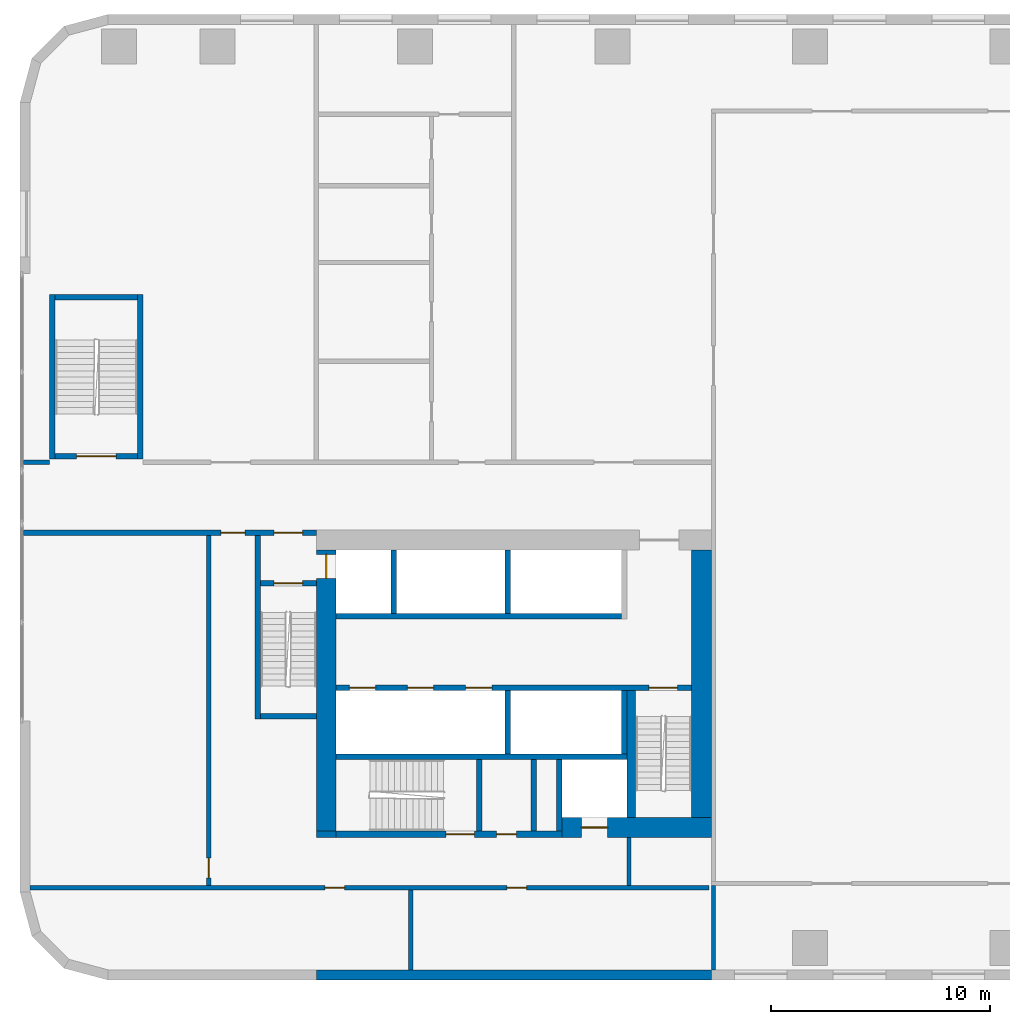
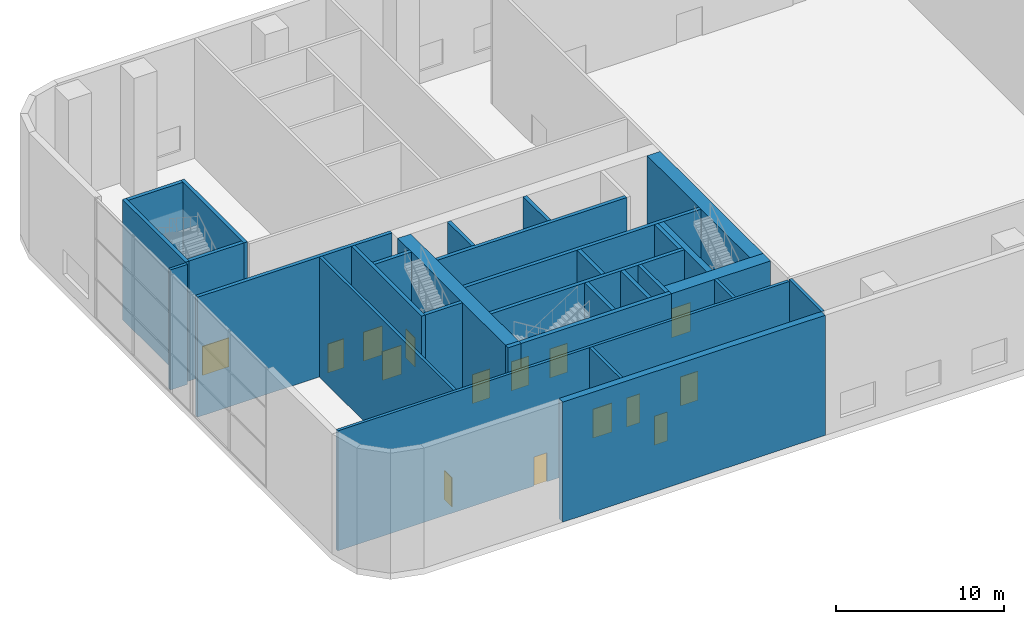
# One storey, part 6 of 24: 31 walls, 15 doors, 15 openings.
"""IFC4 building model written with IfcOpenShell, lengths in metres."""

from ifc_helpers import new_model, si_unit, direction, frame, frame_2d, origin, place, context, subcontext, project, spatial, rectangle, extrude, material, layer, layer_set, type_object, element, fill, save


model = new_model("IFC4")

# Units and contexts
model_context = context("Model", 3, precision=1e-05, world=origin(), true_north=direction((0.0, 1.0)))
body_context = subcontext(model_context, "Body", "Model", "MODEL_VIEW")
ifc_project = project(units=[si_unit("LENGTHUNIT", "METRE"), si_unit("AREAUNIT", "SQUARE_METRE"), si_unit("VOLUMEUNIT", "CUBIC_METRE"), si_unit("PLANEANGLEUNIT", "RADIAN"), si_unit("MASSUNIT", "GRAM", prefix="KILO")], contexts=[model_context])

# Site, building, storey
site_placement = place(None, origin())
site = spatial("IfcSite", under=ifc_project, at=site_placement, CompositionType="ELEMENT")
building_placement = place(site_placement, origin())
building = spatial("IfcBuilding", under=site, at=building_placement, Name="Kajstack Hotel Tower", CompositionType="ELEMENT")
storey_placement = place(building_placement, frame((0.0, 0.0, 38.0)))
storey = spatial("IfcBuildingStorey", under=building, at=storey_placement, Name="L06", CompositionType="ELEMENT", Elevation=38.0)

# Wall, opening, door
ifc_material_1 = material(Name="Concrete C60/75", Category="concrete")
ifc_layer_1 = layer(ifc_material_1, 0.89990234375)
ifc_layer_set_1 = layer_set([ifc_layer_1], Name="Core wall 900")
wall_type_1 = type_object("IfcWallType", Name="Core wall 900", PredefinedType="SHEAR", material=ifc_layer_set_1)
wall_1_placement = place(storey_placement, frame((-20.300048828125, -15.050048828125, 0.0), z_axis=(0.0, 0.0, 1.0), x_axis=(1.0, 0.0, 0.0)))
wall_1 = element("IfcWall", 1, at=wall_1_placement, inside=storey, type_object=wall_type_1, Name="Core wall W RS", PredefinedType="SHEAR", context=body_context, shape_type="SweptSolid", body=[
    extrude(rectangle(XDim=6.800048828125, YDim=0.89990234375, at=frame_2d((3.39990234375, 0.0))), origin(), (0.0, 0.0, 1.0), 8.699951171875),
])
opening_1_placement = place(wall_1_placement, frame((0.875, 0.0, 0.0)))
opening_1 = element("IfcOpeningElement", 2, at=opening_1_placement, cuts=wall_1, Name="Opening LD-SV1", PredefinedType="OPENING", context=body_context, shape_type="SweptSolid", body=[
    extrude(rectangle(XDim=1.199951171875, YDim=2.10009765625, at=frame_2d((0.60009765625, 1.050048828125))), frame((0.0, 0.4599609375, 0.0), z_axis=(0.0, -1.0, 0.0), x_axis=(1.0, 0.0, 0.0)), (0.0, 0.0, 1.0), 0.919921875),
])
ifc_material_2 = material(Name="Stainless steel", Category="steel")
door_type_1 = type_object("IfcDoorType", Name="Lift landing door 1200", OperationType="SLIDING_TO_LEFT", PredefinedType="DOOR", material=ifc_material_2)
door_1_placement = place(opening_1_placement, origin())
door_1 = element("IfcDoor", 3, at=door_1_placement, inside=storey, type_object=door_type_1, Name="Landing door SV1", OperationType="SLIDING_TO_LEFT", OverallHeight=2.10009765625, OverallWidth=1.199951171875, PredefinedType="DOOR", context=body_context, shape_type="SweptSolid", body=[
    extrude(rectangle(XDim=1.199951171875, YDim=2.10009765625, at=frame_2d((0.60009765625, 1.050048828125))), frame((0.0, 0.02490234375, 0.0), z_axis=(0.0, -1.0, 0.0), x_axis=(1.0, 0.0, 0.0)), (0.0, 0.0, 1.0), 0.050048828125),
])
fill(opening_1, door_1)

# Wall
wall_2_placement = place(storey_placement, frame((-31.5, -15.35009765625, 0.0), z_axis=(0.0, 0.0, 1.0), x_axis=(1.0, 0.0, 0.0)))
element("IfcWall", 4, at=wall_2_placement, inside=storey, type_object=wall_type_1, Name="Core wall W RSW", PredefinedType="SHEAR", context=body_context, shape_type="SweptSolid", body=[
    extrude(rectangle(XDim=0.89990234375, YDim=0.300048828125, at=frame_2d((0.449951171875, 0.0))), origin(), (0.0, 0.0, 1.0), 8.699951171875),
])

# Wall, opening, door
wall_3_placement = place(storey_placement, frame((-31.050048828125, -15.199951171875, 0.0), z_axis=(0.0, 0.0, 1.0), x_axis=(0.0, 1.0, 0.0)))
wall_3 = element("IfcWall", 5, at=wall_3_placement, inside=storey, type_object=wall_type_1, Name="Core wall W RW", PredefinedType="SHEAR", context=body_context, shape_type="SweptSolid", body=[
    extrude(rectangle(XDim=12.800048828125, YDim=0.89990234375, at=frame_2d((6.39990234375, 0.0))), origin(), (0.0, 0.0, 1.0), 8.699951171875),
])
opening_2_placement = place(wall_3_placement, frame((11.5, 0.0, 0.0)))
opening_2 = element("IfcOpeningElement", 6, at=opening_2_placement, cuts=wall_3, Name="Opening LD-FF1", PredefinedType="OPENING", context=body_context, shape_type="SweptSolid", body=[
    extrude(rectangle(XDim=1.10009765625, YDim=2.10009765625, at=frame_2d((0.550048828125, 1.050048828125))), frame((0.0, 0.4599609375, 0.0), z_axis=(0.0, -1.0, 0.0), x_axis=(1.0, 0.0, 0.0)), (0.0, 0.0, 1.0), 0.919921875),
])
door_type_2 = type_object("IfcDoorType", Name="Fire-fighting lift landing door 1100", OperationType="SLIDING_TO_LEFT", PredefinedType="DOOR", material=ifc_material_2)
door_2_placement = place(opening_2_placement, origin())
door_2 = element("IfcDoor", 7, at=door_2_placement, inside=storey, type_object=door_type_2, Name="Landing door FF1", OperationType="SLIDING_TO_RIGHT", OverallHeight=2.10009765625, OverallWidth=1.10009765625, PredefinedType="DOOR", context=body_context, shape_type="SweptSolid", body=[
    extrude(rectangle(XDim=1.10009765625, YDim=2.10009765625, at=frame_2d((0.550048828125, 1.050048828125))), frame((0.0, 0.02490234375, 0.0), z_axis=(0.0, -1.0, 0.0), x_axis=(1.0, 0.0, 0.0)), (0.0, 0.0, 1.0), 0.050048828125),
])
fill(opening_2, door_2)

# Walls
wall_4_placement = place(storey_placement, frame((-13.949951171875, -14.60009765625, 0.0), z_axis=(0.0, 0.0, 1.0), x_axis=(0.0, 1.0, 0.0)))
element("IfcWall", 8, at=wall_4_placement, inside=storey, type_object=wall_type_1, Name="Core wall W RE", PredefinedType="SHEAR", context=body_context, shape_type="SweptSolid", body=[
    extrude(rectangle(XDim=12.2001953125, YDim=0.89990234375, at=frame_2d((6.10009765625, 0.0))), origin(), (0.0, 0.0, 1.0), 8.699951171875),
])
ifc_material_3 = material(Name="Concrete C40/50", Category="concrete")
ifc_layer_2 = layer(ifc_material_3, 0.449951171875)
ifc_layer_set_2 = layer_set([ifc_layer_2], Name="EW-CORE")
wall_type_2 = type_object("IfcWallType", Name="EW-CORE", PredefinedType="SOLIDWALL", material=ifc_layer_set_2)
wall_5_placement = place(storey_placement, frame((-31.5, -21.77490234375, 0.0), z_axis=(0.0, 0.0, 1.0), x_axis=(1.0, 0.0, 0.0)))
element("IfcWall", 9, at=wall_5_placement, inside=storey, type_object=wall_type_2, Name="E-wall-L06-03-01", PredefinedType="SOLIDWALL", context=body_context, shape_type="SweptSolid", body=[
    extrude(rectangle(XDim=18.0, YDim=0.449951171875, at=frame_2d((9.0, 0.0))), origin(), (0.0, 0.0, 1.0), 8.699951171875),
])
ifc_material_4 = material(Name="Concrete C50/60", Category="concrete")
ifc_layer_3 = layer(ifc_material_4, 0.300048828125)
ifc_layer_set_3 = layer_set([ifc_layer_3], Name="Hoistway divider wall 300")
wall_type_3 = type_object("IfcWallType", Name="Hoistway divider wall 300", PredefinedType="SHEAR", material=ifc_layer_set_3)
wall_6_placement = place(storey_placement, frame((-22.77490234375, -5.300048828125, 0.0), z_axis=(0.0, 0.0, 1.0), x_axis=(0.0, 1.0, 0.0)))
element("IfcWall", 10, at=wall_6_placement, inside=storey, type_object=wall_type_3, Name="Core wall W AP2", PredefinedType="SHEAR", context=body_context, shape_type="SweptSolid", body=[
    extrude(rectangle(XDim=2.900146484375, YDim=0.25, at=frame_2d((1.4501953125, 0.0))), origin(), (0.0, 0.0, 1.0), 8.699951171875),
])
wall_7_placement = place(storey_placement, frame((-22.77490234375, -11.699951171875, 0.0), z_axis=(0.0, 0.0, 1.0), x_axis=(0.0, 1.0, 0.0)))
element("IfcWall", 11, at=wall_7_placement, inside=storey, type_object=wall_type_3, Name="Core wall W BP2", PredefinedType="SHEAR", context=body_context, shape_type="SweptSolid", body=[
    extrude(rectangle(XDim=2.89990234375, YDim=0.25, at=frame_2d((1.449951171875, 0.0))), origin(), (0.0, 0.0, 1.0), 8.699951171875),
])
ifc_material_5 = material(Name="Gypsum board on steel studs, mineral wool", Category="steel")
ifc_layer_4 = layer(ifc_material_5, 0.199951171875)
ifc_layer_set_4 = layer_set([ifc_layer_4], Name="Public partition 200")
wall_type_4 = type_object("IfcWallType", Name="Public partition 200", PredefinedType="PARTITIONING", material=ifc_layer_set_4)
wall_8_placement = place(storey_placement, frame((-44.85009765625, 1.60009765625, 0.0), z_axis=(0.0, 0.0, 1.0), x_axis=(1.0, 0.0, 0.0)))
element("IfcWall", 12, at=wall_8_placement, inside=storey, type_object=wall_type_4, Name="Partition FWW", PredefinedType="PARTITIONING", context=body_context, shape_type="SweptSolid", body=[
    extrude(rectangle(XDim=1.2001953125, YDim=0.199951171875, at=frame_2d((0.60009765625, 0.0))), origin(), (0.0, 0.0, 1.0), 8.699951171875),
])
wall_9_placement = place(storey_placement, frame((-13.39990234375, -21.550048828125, 0.0), z_axis=(0.0, 0.0, 1.0), x_axis=(0.0, 1.0, 0.0)))
element("IfcWall", 13, at=wall_9_placement, inside=storey, type_object=wall_type_4, Name="Partition SFWL", PredefinedType="PARTITIONING", context=body_context, shape_type="SweptSolid", body=[
    extrude(rectangle(XDim=3.85009765625, YDim=0.199951171875, at=frame_2d((1.925048828125, 0.0))), origin(), (0.0, 0.0, 1.0), 8.699951171875),
])
ifc_material_6 = material(Name="Concrete block masonry", Category="masonry")
ifc_layer_5 = layer(ifc_material_6, 0.25)
ifc_layer_set_5 = layer_set([ifc_layer_5], Name="Riser partition 250")
wall_type_5 = type_object("IfcWallType", Name="Riser partition 250", PredefinedType="PARTITIONING", material=ifc_layer_set_5)
wall_10_placement = place(storey_placement, frame((-21.60009765625, -15.199951171875, 0.0), z_axis=(0.0, 0.0, 1.0), x_axis=(0.0, 1.0, 0.0)))
element("IfcWall", 14, at=wall_10_placement, inside=storey, type_object=wall_type_5, Name="Partition W SZ0", PredefinedType="PARTITIONING", context=body_context, shape_type="SweptSolid", body=[
    extrude(rectangle(XDim=3.25, YDim=0.25, at=frame_2d((1.625, 0.0))), origin(), (0.0, 0.0, 1.0), 8.699951171875),
])

# Wall, openings, doors
ifc_layer_6 = layer(ifc_material_5, 0.199951171875)
ifc_layer_set_6 = layer_set([ifc_layer_6], Name="Service partition 200")
wall_type_6 = type_object("IfcWallType", Name="Service partition 200", PredefinedType="PARTITIONING", material=ifc_layer_set_6)
wall_11_placement = place(storey_placement, frame((-44.85009765625, -1.625, 0.0), z_axis=(0.0, 0.0, 1.0), x_axis=(1.0, 0.0, 0.0)))
wall_11 = element("IfcWall", 15, at=wall_11_placement, inside=storey, type_object=wall_type_6, Name="Partition W SN", PredefinedType="PARTITIONING", context=body_context, shape_type="SweptSolid", body=[
    extrude(rectangle(XDim=13.35009765625, YDim=0.25, at=frame_2d((6.675048828125, 0.0))), origin(), (0.0, 0.0, 1.0), 8.699951171875),
])
opening_3_placement = place(wall_11_placement, frame((11.425048828125, 0.0, 0.0)))
opening_3 = element("IfcOpeningElement", 16, at=opening_3_placement, cuts=wall_11, Name="Opening 06W07", PredefinedType="OPENING", context=body_context, shape_type="SweptSolid", body=[
    extrude(rectangle(XDim=1.300048828125, YDim=2.10009765625, at=frame_2d((0.64990234375, 1.050048828125))), frame((0.0, 0.135009765625, 0.0), z_axis=(0.0, -1.0, 0.0), x_axis=(1.0, 0.0, 0.0)), (0.0, 0.0, 1.0), 0.27001953125),
])
opening_4_placement = place(wall_11_placement, frame((9.0, 0.0, 0.0)))
opening_4 = element("IfcOpeningElement", 17, at=opening_4_placement, cuts=wall_11, Name="Opening 06W09", PredefinedType="OPENING", context=body_context, shape_type="SweptSolid", body=[
    extrude(rectangle(XDim=1.10009765625, YDim=2.10009765625, at=frame_2d((0.550048828125, 1.050048828125))), frame((0.0, 0.135009765625, 0.0), z_axis=(0.0, -1.0, 0.0), x_axis=(1.0, 0.0, 0.0)), (0.0, 0.0, 1.0), 0.27001953125),
])
ifc_material_7 = material(Name="Steel leaf, fire-rated", Category="steel")
door_type_3 = type_object("IfcDoorType", Name="Fire lobby door 1300", OperationType="SINGLE_SWING_LEFT", PredefinedType="DOOR", material=ifc_material_7)
door_3_placement = place(opening_3_placement, origin())
door_3 = element("IfcDoor", 18, at=door_3_placement, inside=storey, type_object=door_type_3, Name="Door 06W07", OperationType="SINGLE_SWING_RIGHT", OverallHeight=2.10009765625, OverallWidth=1.300048828125, PredefinedType="DOOR", context=body_context, shape_type="SweptSolid", body=[
    extrude(rectangle(XDim=1.300048828125, YDim=2.10009765625, at=frame_2d((0.64990234375, 1.050048828125))), frame((0.0, 0.02490234375, 0.0), z_axis=(0.0, -1.0, 0.0), x_axis=(1.0, 0.0, 0.0)), (0.0, 0.0, 1.0), 0.050048828125),
])
fill(opening_3, door_3)
ifc_material_8 = material(Name="Timber leaf, fire-rated", Category="wood")
door_type_4 = type_object("IfcDoorType", Name="Service corridor door 1100", OperationType="SINGLE_SWING_LEFT", PredefinedType="DOOR", material=ifc_material_8)
door_4_placement = place(opening_4_placement, origin())
door_4 = element("IfcDoor", 19, at=door_4_placement, inside=storey, type_object=door_type_4, Name="Door 06W09", OperationType="SINGLE_SWING_RIGHT", OverallHeight=2.10009765625, OverallWidth=1.10009765625, PredefinedType="DOOR", context=body_context, shape_type="SweptSolid", body=[
    extrude(rectangle(XDim=1.10009765625, YDim=2.10009765625, at=frame_2d((0.550048828125, 1.050048828125))), frame((0.0, 0.02490234375, 0.0), z_axis=(0.0, -1.0, 0.0), x_axis=(1.0, 0.0, 0.0)), (0.0, 0.0, 1.0), 0.050048828125),
])
fill(opening_4, door_4)

# Wall
wall_12_placement = place(storey_placement, frame((-17.25, -17.699951171875, 0.0), z_axis=(0.0, 0.0, 1.0), x_axis=(0.0, 1.0, 0.0)))
element("IfcWall", 20, at=wall_12_placement, inside=storey, type_object=wall_type_6, Name="Partition W SCE", PredefinedType="PARTITIONING", context=body_context, shape_type="SweptSolid", body=[
    extrude(rectangle(XDim=2.199951171875, YDim=0.199951171875, at=frame_2d((1.10009765625, 0.0))), origin(), (0.0, 0.0, 1.0), 8.699951171875),
])

# Wall, opening, door
wall_13_placement = place(storey_placement, frame((-36.39990234375, -17.699951171875, 0.0), z_axis=(0.0, 0.0, 1.0), x_axis=(0.0, 1.0, 0.0)))
wall_13 = element("IfcWall", 21, at=wall_13_placement, inside=storey, type_object=wall_type_6, Name="Partition W WRE", PredefinedType="PARTITIONING", context=body_context, shape_type="SweptSolid", body=[
    extrude(rectangle(XDim=15.949951171875, YDim=0.199951171875, at=frame_2d((7.97509765625, 0.0))), origin(), (0.0, 0.0, 1.0), 8.699951171875),
])
opening_5_placement = place(wall_13_placement, frame((0.35009765625, 0.0, 0.0)))
opening_5 = element("IfcOpeningElement", 22, at=opening_5_placement, cuts=wall_13, Name="Opening 06W15", PredefinedType="OPENING", context=body_context, shape_type="SweptSolid", body=[
    extrude(rectangle(XDim=0.89990234375, YDim=2.10009765625, at=frame_2d((0.449951171875, 1.050048828125))), frame((0.0, 0.10986328125, 0.0), z_axis=(0.0, -1.0, 0.0), x_axis=(1.0, 0.0, 0.0)), (0.0, 0.0, 1.0), 0.219970703125),
])
door_type_5 = type_object("IfcDoorType", Name="Service door 900", OperationType="SINGLE_SWING_LEFT", PredefinedType="DOOR", material=ifc_material_8)
door_5_placement = place(opening_5_placement, origin())
door_5 = element("IfcDoor", 23, at=door_5_placement, inside=storey, type_object=door_type_5, Name="Door 06W15", OperationType="SINGLE_SWING_LEFT", OverallHeight=2.10009765625, OverallWidth=0.89990234375, PredefinedType="DOOR", context=body_context, shape_type="SweptSolid", body=[
    extrude(rectangle(XDim=0.89990234375, YDim=2.10009765625, at=frame_2d((0.449951171875, 1.050048828125))), frame((0.0, 0.02490234375, 0.0), z_axis=(0.0, -1.0, 0.0), x_axis=(1.0, 0.0, 0.0)), (0.0, 0.0, 1.0), 0.050048828125),
])
fill(opening_5, door_5)

# Wall, openings, doors
wall_14_placement = place(storey_placement, frame((-44.550048828125, -17.800048828125, 0.0), z_axis=(0.0, 0.0, 1.0), x_axis=(1.0, 0.0, 0.0)))
wall_14 = element("IfcWall", 24, at=wall_14_placement, inside=storey, type_object=wall_type_6, Name="Partition W SLN", PredefinedType="PARTITIONING", context=body_context, shape_type="SweptSolid", body=[
    extrude(rectangle(XDim=30.949951171875, YDim=0.199951171875, at=frame_2d((15.47509765625, 0.0))), origin(), (0.0, 0.0, 1.0), 8.699951171875),
])
opening_6_placement = place(wall_14_placement, frame((13.4375, 0.0, 0.0)))
opening_6 = element("IfcOpeningElement", 25, at=opening_6_placement, cuts=wall_14, Name="Opening 06W13", PredefinedType="OPENING", context=body_context, shape_type="SweptSolid", body=[
    extrude(rectangle(XDim=0.89990234375, YDim=2.10009765625, at=frame_2d((0.449951171875, 1.050048828125))), frame((0.0, 0.10986328125, 0.0), z_axis=(0.0, -1.0, 0.0), x_axis=(1.0, 0.0, 0.0)), (0.0, 0.0, 1.0), 0.219970703125),
])
opening_7_placement = place(wall_14_placement, frame((21.737548828125, 0.0, 0.0)))
opening_7 = element("IfcOpeningElement", 26, at=opening_7_placement, cuts=wall_14, Name="Opening 06W14", PredefinedType="OPENING", context=body_context, shape_type="SweptSolid", body=[
    extrude(rectangle(XDim=0.89990234375, YDim=2.10009765625, at=frame_2d((0.449951171875, 1.050048828125))), frame((0.0, 0.10986328125, 0.0), z_axis=(0.0, -1.0, 0.0), x_axis=(1.0, 0.0, 0.0)), (0.0, 0.0, 1.0), 0.219970703125),
])
door_6_placement = place(opening_6_placement, origin())
door_6 = element("IfcDoor", 27, at=door_6_placement, inside=storey, type_object=door_type_5, Name="Door 06W13", OperationType="SINGLE_SWING_RIGHT", OverallHeight=2.10009765625, OverallWidth=0.89990234375, PredefinedType="DOOR", context=body_context, shape_type="SweptSolid", body=[
    extrude(rectangle(XDim=0.89990234375, YDim=2.10009765625, at=frame_2d((0.449951171875, 1.050048828125))), frame((0.0, 0.02490234375, 0.0), z_axis=(0.0, -1.0, 0.0), x_axis=(1.0, 0.0, 0.0)), (0.0, 0.0, 1.0), 0.050048828125),
])
fill(opening_6, door_6)
door_7_placement = place(opening_7_placement, origin())
door_7 = element("IfcDoor", 28, at=door_7_placement, inside=storey, type_object=door_type_5, Name="Door 06W14", OperationType="SINGLE_SWING_RIGHT", OverallHeight=2.10009765625, OverallWidth=0.89990234375, PredefinedType="DOOR", context=body_context, shape_type="SweptSolid", body=[
    extrude(rectangle(XDim=0.89990234375, YDim=2.10009765625, at=frame_2d((0.449951171875, 1.050048828125))), frame((0.0, 0.02490234375, 0.0), z_axis=(0.0, -1.0, 0.0), x_axis=(1.0, 0.0, 0.0)), (0.0, 0.0, 1.0), 0.050048828125),
])
fill(opening_7, door_7)

# Wall
wall_15_placement = place(storey_placement, frame((-27.199951171875, -21.550048828125, 0.0), z_axis=(0.0, 0.0, 1.0), x_axis=(0.0, 1.0, 0.0)))
element("IfcWall", 29, at=wall_15_placement, inside=storey, type_object=wall_type_6, Name="Partition W SLP0", PredefinedType="PARTITIONING", context=body_context, shape_type="SweptSolid", body=[
    extrude(rectangle(XDim=3.650146484375, YDim=0.199951171875, at=frame_2d((1.8251953125, 0.0))), origin(), (0.0, 0.0, 1.0), 8.699951171875),
])

# Wall, openings, doors
ifc_layer_7 = layer(ifc_material_4, 0.25)
ifc_layer_set_7 = layer_set([ifc_layer_7], Name="Shaft wall 250")
wall_type_7 = type_object("IfcWallType", Name="Shaft wall 250", PredefinedType="SHEAR", material=ifc_layer_set_7)
wall_16_placement = place(storey_placement, frame((-30.60009765625, -15.35009765625, 0.0), z_axis=(0.0, 0.0, 1.0), x_axis=(1.0, 0.0, 0.0)))
wall_16 = element("IfcWall", 30, at=wall_16_placement, inside=storey, type_object=wall_type_7, Name="Core wall W RSS", PredefinedType="SHEAR", context=body_context, shape_type="SweptSolid", body=[
    extrude(rectangle(XDim=10.300048828125, YDim=0.300048828125, at=frame_2d((5.14990234375, 0.0))), origin(), (0.0, 0.0, 1.0), 8.699951171875),
])
opening_8_placement = place(wall_16_placement, frame((5.0, 0.0, 0.0)))
opening_8 = element("IfcOpeningElement", 31, at=opening_8_placement, cuts=wall_16, Name="Opening 06W11", PredefinedType="OPENING", context=body_context, shape_type="SweptSolid", body=[
    extrude(rectangle(XDim=1.300048828125, YDim=2.10009765625, at=frame_2d((0.64990234375, 1.050048828125))), frame((0.0, 0.159912109375, 0.0), z_axis=(0.0, -1.0, 0.0), x_axis=(1.0, 0.0, 0.0)), (0.0, 0.0, 1.0), 0.320068359375),
])
opening_9_placement = place(wall_16_placement, frame((7.3125, 0.0, 0.0)))
opening_9 = element("IfcOpeningElement", 32, at=opening_9_placement, cuts=wall_16, Name="Opening 06W12", PredefinedType="OPENING", context=body_context, shape_type="SweptSolid", body=[
    extrude(rectangle(XDim=0.89990234375, YDim=2.10009765625, at=frame_2d((0.449951171875, 1.050048828125))), frame((0.0, 0.159912109375, 0.0), z_axis=(0.0, -1.0, 0.0), x_axis=(1.0, 0.0, 0.0)), (0.0, 0.0, 1.0), 0.320068359375),
])
door_8_placement = place(opening_9_placement, origin())
door_8 = element("IfcDoor", 33, at=door_8_placement, inside=storey, type_object=door_type_5, Name="Door 06W12", OperationType="SINGLE_SWING_LEFT", OverallHeight=2.10009765625, OverallWidth=0.89990234375, PredefinedType="DOOR", context=body_context, shape_type="SweptSolid", body=[
    extrude(rectangle(XDim=0.89990234375, YDim=2.10009765625, at=frame_2d((0.449951171875, 1.050048828125))), frame((0.0, 0.02490234375, 0.0), z_axis=(0.0, -1.0, 0.0), x_axis=(1.0, 0.0, 0.0)), (0.0, 0.0, 1.0), 0.050048828125),
])
fill(opening_9, door_8)
door_type_6 = type_object("IfcDoorType", Name="Stair door 1300", OperationType="SINGLE_SWING_LEFT", PredefinedType="DOOR", material=ifc_material_7)
door_9_placement = place(opening_8_placement, origin())
door_9 = element("IfcDoor", 34, at=door_9_placement, inside=storey, type_object=door_type_6, Name="Door 06W11", OperationType="SINGLE_SWING_RIGHT", OverallHeight=2.10009765625, OverallWidth=1.300048828125, PredefinedType="DOOR", context=body_context, shape_type="SweptSolid", body=[
    extrude(rectangle(XDim=1.300048828125, YDim=2.10009765625, at=frame_2d((0.64990234375, 1.050048828125))), frame((0.0, 0.02490234375, 0.0), z_axis=(0.0, -1.0, 0.0), x_axis=(1.0, 0.0, 0.0)), (0.0, 0.0, 1.0), 0.050048828125),
])
fill(opening_8, door_9)

# Walls
wall_17_placement = place(storey_placement, frame((-30.60009765625, -5.425048828125, 0.0), z_axis=(0.0, 0.0, 1.0), x_axis=(1.0, 0.0, 0.0)))
element("IfcWall", 35, at=wall_17_placement, inside=storey, type_object=wall_type_7, Name="Core wall W FA", PredefinedType="SHEAR", context=body_context, shape_type="SweptSolid", body=[
    extrude(rectangle(XDim=13.0, YDim=0.25, at=frame_2d((6.5, 0.0))), origin(), (0.0, 0.0, 1.0), 8.699951171875),
])
wall_18_placement = place(storey_placement, frame((-27.97509765625, -5.300048828125, 0.0), z_axis=(0.0, 0.0, 1.0), x_axis=(0.0, 1.0, 0.0)))
element("IfcWall", 36, at=wall_18_placement, inside=storey, type_object=wall_type_7, Name="Core wall W AP0", PredefinedType="SHEAR", context=body_context, shape_type="SweptSolid", body=[
    extrude(rectangle(XDim=2.900146484375, YDim=0.25, at=frame_2d((1.4501953125, 0.0))), origin(), (0.0, 0.0, 1.0), 8.699951171875),
])

# Wall, openings, doors
wall_19_placement = place(storey_placement, frame((-30.60009765625, -8.675048828125, 0.0), z_axis=(0.0, 0.0, 1.0), x_axis=(1.0, 0.0, 0.0)))
wall_19 = element("IfcWall", 37, at=wall_19_placement, inside=storey, type_object=wall_type_7, Name="Core wall W FB", PredefinedType="SHEAR", context=body_context, shape_type="SweptSolid", body=[
    extrude(rectangle(XDim=16.2001953125, YDim=0.25, at=frame_2d((8.10009765625, 0.0))), origin(), (0.0, 0.0, 1.0), 8.699951171875),
])
opening_10_placement = place(wall_19_placement, frame((0.60009765625, 0.0, 0.0)))
opening_10 = element("IfcOpeningElement", 38, at=opening_10_placement, cuts=wall_19, Name="Opening LD-LR1", PredefinedType="OPENING", context=body_context, shape_type="SweptSolid", body=[
    extrude(rectangle(XDim=1.199951171875, YDim=2.10009765625, at=frame_2d((0.60009765625, 1.050048828125))), frame((0.0, 0.135009765625, 0.0), z_axis=(0.0, -1.0, 0.0), x_axis=(1.0, 0.0, 0.0)), (0.0, 0.0, 1.0), 0.27001953125),
])
opening_11_placement = place(wall_19_placement, frame((3.25, 0.0, 0.0)))
opening_11 = element("IfcOpeningElement", 39, at=opening_11_placement, cuts=wall_19, Name="Opening LD-LR2", PredefinedType="OPENING", context=body_context, shape_type="SweptSolid", body=[
    extrude(rectangle(XDim=1.199951171875, YDim=2.10009765625, at=frame_2d((0.60009765625, 1.050048828125))), frame((0.0, 0.135009765625, 0.0), z_axis=(0.0, -1.0, 0.0), x_axis=(1.0, 0.0, 0.0)), (0.0, 0.0, 1.0), 0.27001953125),
])
opening_12_placement = place(wall_19_placement, frame((5.89990234375, 0.0, 0.0)))
opening_12 = element("IfcOpeningElement", 40, at=opening_12_placement, cuts=wall_19, Name="Opening LD-LR3", PredefinedType="OPENING", context=body_context, shape_type="SweptSolid", body=[
    extrude(rectangle(XDim=1.199951171875, YDim=2.10009765625, at=frame_2d((0.60009765625, 1.050048828125))), frame((0.0, 0.135009765625, 0.0), z_axis=(0.0, -1.0, 0.0), x_axis=(1.0, 0.0, 0.0)), (0.0, 0.0, 1.0), 0.27001953125),
])
opening_13_placement = place(wall_19_placement, frame((14.25, 0.0, 0.0)))
opening_13 = element("IfcOpeningElement", 41, at=opening_13_placement, cuts=wall_19, Name="Opening 06W10", PredefinedType="OPENING", context=body_context, shape_type="SweptSolid", body=[
    extrude(rectangle(XDim=1.300048828125, YDim=2.10009765625, at=frame_2d((0.64990234375, 1.050048828125))), frame((0.0, 0.135009765625, 0.0), z_axis=(0.0, -1.0, 0.0), x_axis=(1.0, 0.0, 0.0)), (0.0, 0.0, 1.0), 0.27001953125),
])
door_10_placement = place(opening_10_placement, origin())
door_10 = element("IfcDoor", 42, at=door_10_placement, inside=storey, type_object=door_type_1, Name="Landing door LR1", OperationType="SLIDING_TO_LEFT", OverallHeight=2.10009765625, OverallWidth=1.199951171875, PredefinedType="DOOR", context=body_context, shape_type="SweptSolid", body=[
    extrude(rectangle(XDim=1.199951171875, YDim=2.10009765625, at=frame_2d((0.60009765625, 1.050048828125))), frame((0.0, 0.02490234375, 0.0), z_axis=(0.0, -1.0, 0.0), x_axis=(1.0, 0.0, 0.0)), (0.0, 0.0, 1.0), 0.050048828125),
])
fill(opening_10, door_10)
door_11_placement = place(opening_11_placement, origin())
door_11 = element("IfcDoor", 43, at=door_11_placement, inside=storey, type_object=door_type_1, Name="Landing door LR2", OperationType="SLIDING_TO_RIGHT", OverallHeight=2.10009765625, OverallWidth=1.199951171875, PredefinedType="DOOR", context=body_context, shape_type="SweptSolid", body=[
    extrude(rectangle(XDim=1.199951171875, YDim=2.10009765625, at=frame_2d((0.60009765625, 1.050048828125))), frame((0.0, 0.02490234375, 0.0), z_axis=(0.0, -1.0, 0.0), x_axis=(1.0, 0.0, 0.0)), (0.0, 0.0, 1.0), 0.050048828125),
])
fill(opening_11, door_11)
door_12_placement = place(opening_12_placement, origin())
door_12 = element("IfcDoor", 44, at=door_12_placement, inside=storey, type_object=door_type_1, Name="Landing door LR3", OperationType="SLIDING_TO_RIGHT", OverallHeight=2.10009765625, OverallWidth=1.199951171875, PredefinedType="DOOR", context=body_context, shape_type="SweptSolid", body=[
    extrude(rectangle(XDim=1.199951171875, YDim=2.10009765625, at=frame_2d((0.60009765625, 1.050048828125))), frame((0.0, 0.02490234375, 0.0), z_axis=(0.0, -1.0, 0.0), x_axis=(1.0, 0.0, 0.0)), (0.0, 0.0, 1.0), 0.050048828125),
])
fill(opening_12, door_12)
door_13_placement = place(opening_13_placement, origin())
door_13 = element("IfcDoor", 45, at=door_13_placement, inside=storey, type_object=door_type_6, Name="Door 06W10", OperationType="SINGLE_SWING_RIGHT", OverallHeight=2.10009765625, OverallWidth=1.300048828125, PredefinedType="DOOR", context=body_context, shape_type="SweptSolid", body=[
    extrude(rectangle(XDim=1.300048828125, YDim=2.10009765625, at=frame_2d((0.64990234375, 1.050048828125))), frame((0.0, 0.02490234375, 0.0), z_axis=(0.0, -1.0, 0.0), x_axis=(1.0, 0.0, 0.0)), (0.0, 0.0, 1.0), 0.050048828125),
])
fill(opening_13, door_13)

# Walls
wall_20_placement = place(storey_placement, frame((-30.60009765625, -11.824951171875, 0.0), z_axis=(0.0, 0.0, 1.0), x_axis=(1.0, 0.0, 0.0)))
element("IfcWall", 46, at=wall_20_placement, inside=storey, type_object=wall_type_7, Name="Core wall W RB", PredefinedType="SHEAR", context=body_context, shape_type="SweptSolid", body=[
    extrude(rectangle(XDim=13.25, YDim=0.25, at=frame_2d((6.625, 0.0))), origin(), (0.0, 0.0, 1.0), 8.699951171875),
])
wall_21_placement = place(storey_placement, frame((-17.47509765625, -11.699951171875, 0.0), z_axis=(0.0, 0.0, 1.0), x_axis=(0.0, 1.0, 0.0)))
element("IfcWall", 47, at=wall_21_placement, inside=storey, type_object=wall_type_7, Name="Core wall W BE", PredefinedType="SHEAR", context=body_context, shape_type="SweptSolid", body=[
    extrude(rectangle(XDim=2.89990234375, YDim=0.25, at=frame_2d((1.449951171875, 0.0))), origin(), (0.0, 0.0, 1.0), 8.699951171875),
])
wall_22_placement = place(storey_placement, frame((-20.425048828125, -15.199951171875, 0.0), z_axis=(0.0, 0.0, 1.0), x_axis=(0.0, 1.0, 0.0)))
element("IfcWall", 48, at=wall_22_placement, inside=storey, type_object=wall_type_7, Name="Core wall W SVW", PredefinedType="SHEAR", context=body_context, shape_type="SweptSolid", body=[
    extrude(rectangle(XDim=3.25, YDim=0.25, at=frame_2d((1.625, 0.0))), origin(), (0.0, 0.0, 1.0), 8.699951171875),
])

# Wall, opening, door
ifc_layer_8 = layer(ifc_material_3, 0.25)
ifc_layer_set_8 = layer_set([ifc_layer_8], Name="Stair enclosure wall 250")
wall_type_8 = type_object("IfcWallType", Name="Stair enclosure wall 250", PredefinedType="SHEAR", material=ifc_layer_set_8)
wall_23_placement = place(storey_placement, frame((-34.050048828125, -3.925048828125, 0.0), z_axis=(0.0, 0.0, 1.0), x_axis=(1.0, 0.0, 0.0)))
wall_23 = element("IfcWall", 49, at=wall_23_placement, inside=storey, type_object=wall_type_8, Name="Core wall W W1N", PredefinedType="SHEAR", context=body_context, shape_type="SweptSolid", body=[
    extrude(rectangle(XDim=2.550048828125, YDim=0.25, at=frame_2d((1.27490234375, 0.0))), origin(), (0.0, 0.0, 1.0), 8.699951171875),
])
opening_14_placement = place(wall_23_placement, frame((0.625, 0.0, 0.0)))
opening_14 = element("IfcOpeningElement", 50, at=opening_14_placement, cuts=wall_23, Name="Opening 06W08", PredefinedType="OPENING", context=body_context, shape_type="SweptSolid", body=[
    extrude(rectangle(XDim=1.300048828125, YDim=2.10009765625, at=frame_2d((0.64990234375, 1.050048828125))), frame((0.0, 0.135009765625, 0.0), z_axis=(0.0, -1.0, 0.0), x_axis=(1.0, 0.0, 0.0)), (0.0, 0.0, 1.0), 0.27001953125),
])
door_14_placement = place(opening_14_placement, origin())
door_14 = element("IfcDoor", 51, at=door_14_placement, inside=storey, type_object=door_type_6, Name="Door 06W08", OperationType="SINGLE_SWING_RIGHT", OverallHeight=2.10009765625, OverallWidth=1.300048828125, PredefinedType="DOOR", context=body_context, shape_type="SweptSolid", body=[
    extrude(rectangle(XDim=1.300048828125, YDim=2.10009765625, at=frame_2d((0.64990234375, 1.050048828125))), frame((0.0, 0.02490234375, 0.0), z_axis=(0.0, -1.0, 0.0), x_axis=(1.0, 0.0, 0.0)), (0.0, 0.0, 1.0), 0.050048828125),
])
fill(opening_14, door_14)

# Walls
wall_24_placement = place(storey_placement, frame((-34.175048828125, -10.10009765625, 0.0), z_axis=(0.0, 0.0, 1.0), x_axis=(0.0, 1.0, 0.0)))
element("IfcWall", 52, at=wall_24_placement, inside=storey, type_object=wall_type_8, Name="Core wall W W1W", PredefinedType="SHEAR", context=body_context, shape_type="SweptSolid", body=[
    extrude(rectangle(XDim=8.35009765625, YDim=0.25, at=frame_2d((4.175048828125, 0.0))), origin(), (0.0, 0.0, 1.0), 8.699951171875),
])
wall_25_placement = place(storey_placement, frame((-34.050048828125, -9.97509765625, 0.0), z_axis=(0.0, 0.0, 1.0), x_axis=(1.0, 0.0, 0.0)))
element("IfcWall", 53, at=wall_25_placement, inside=storey, type_object=wall_type_8, Name="Core wall W W1S", PredefinedType="SHEAR", context=body_context, shape_type="SweptSolid", body=[
    extrude(rectangle(XDim=2.550048828125, YDim=0.25, at=frame_2d((1.27490234375, 0.0))), origin(), (0.0, 0.0, 1.0), 8.699951171875),
])
for number, where, z_axis, x_axis, name in (
    (54, (-43.52490234375, 1.75, 0.0), (0.0, 0.0, 1.0), (0.0, 1.0, 0.0), "Stair wall P1 W"),
    (55, (-39.52490234375, 1.75, 0.0), (0.0, 0.0, 1.0), (0.0, 1.0, 0.0), "Stair wall P1 E"),
):
    element("IfcWall", number, at=place(storey_placement, frame(where, z_axis=z_axis, x_axis=x_axis)), inside=storey, type_object=wall_type_8, Name=name, PredefinedType="SHEAR", context=body_context, shape_type="SweptSolid", body=[
        extrude(rectangle(XDim=7.5, YDim=0.25, at=frame_2d((3.75, 0.0))), origin(), (0.0, 0.0, 1.0), 8.699951171875),
    ])
wall_26_placement = place(storey_placement, frame((-43.39990234375, 9.125, 0.0), z_axis=(0.0, 0.0, 1.0), x_axis=(1.0, 0.0, 0.0)))
element("IfcWall", 56, at=wall_26_placement, inside=storey, type_object=wall_type_8, Name="Stair wall P1 F", PredefinedType="SHEAR", context=body_context, shape_type="SweptSolid", body=[
    extrude(rectangle(XDim=3.75, YDim=0.25, at=frame_2d((1.875, 0.0))), origin(), (0.0, 0.0, 1.0), 8.699951171875),
])

# Wall, opening, door
wall_27_placement = place(storey_placement, frame((-43.39990234375, 1.875, 0.0), z_axis=(0.0, 0.0, 1.0), x_axis=(1.0, 0.0, 0.0)))
wall_27 = element("IfcWall", 57, at=wall_27_placement, inside=storey, type_object=wall_type_8, Name="Stair wall P1 N", PredefinedType="SHEAR", context=body_context, shape_type="SweptSolid", body=[
    extrude(rectangle(XDim=3.75, YDim=0.25, at=frame_2d((1.875, 0.0))), origin(), (0.0, 0.0, 1.0), 8.699951171875),
])
opening_15_placement = place(wall_27_placement, frame((0.97509765625, 0.0, 0.0)))
opening_15 = element("IfcOpeningElement", 58, at=opening_15_placement, cuts=wall_27, Name="Opening 06P1", PredefinedType="OPENING", context=body_context, shape_type="SweptSolid", body=[
    extrude(rectangle(XDim=1.800048828125, YDim=2.10009765625, at=frame_2d((0.89990234375, 1.050048828125))), frame((0.0, 0.135009765625, 0.0), z_axis=(0.0, -1.0, 0.0), x_axis=(1.0, 0.0, 0.0)), (0.0, 0.0, 1.0), 0.27001953125),
])
door_type_7 = type_object("IfcDoorType", Name="Stair door 1800", OperationType="DOUBLE_DOOR_DOUBLE_SWING", PredefinedType="DOOR", material=ifc_material_7)
door_15_placement = place(opening_15_placement, origin())
door_15 = element("IfcDoor", 59, at=door_15_placement, inside=storey, type_object=door_type_7, Name="Door 06P1", OperationType="DOUBLE_DOOR_DOUBLE_SWING", OverallHeight=2.10009765625, OverallWidth=1.800048828125, PredefinedType="DOOR", context=body_context, shape_type="SweptSolid", body=[
    extrude(rectangle(XDim=1.800048828125, YDim=2.10009765625, at=frame_2d((0.89990234375, 1.050048828125))), frame((0.0, 0.02490234375, 0.0), z_axis=(0.0, -1.0, 0.0), x_axis=(1.0, 0.0, 0.0)), (0.0, 0.0, 1.0), 0.050048828125),
])
fill(opening_15, door_15)

# Walls
ifc_layer_9 = layer(ifc_material_4, 0.35009765625)
ifc_layer_set_9 = layer_set([ifc_layer_9], Name="Stair enclosure wall 350")
wall_type_9 = type_object("IfcWallType", Name="Stair enclosure wall 350", PredefinedType="SHEAR", material=ifc_layer_set_9)
wall_28_placement = place(storey_placement, frame((-24.074951171875, -15.199951171875, 0.0), z_axis=(0.0, 0.0, 1.0), x_axis=(0.0, 1.0, 0.0)))
element("IfcWall", 60, at=wall_28_placement, inside=storey, type_object=wall_type_9, Name="Core wall W W3E", PredefinedType="SHEAR", context=body_context, shape_type="SweptSolid", body=[
    extrude(rectangle(XDim=3.25, YDim=0.25, at=frame_2d((1.625, 0.0))), origin(), (0.0, 0.0, 1.0), 8.699951171875),
])
ifc_layer_10 = layer(ifc_material_4, 0.39990234375)
ifc_layer_set_10 = layer_set([ifc_layer_10], Name="Stair wall 400")
wall_type_10 = type_object("IfcWallType", Name="Stair wall 400", PredefinedType="SHEAR", material=ifc_layer_set_10)
wall_29_placement = place(storey_placement, frame((-17.14990234375, -14.60009765625, 0.0), z_axis=(0.0, 0.0, 1.0), x_axis=(0.0, 1.0, 0.0)))
element("IfcWall", 61, at=wall_29_placement, inside=storey, type_object=wall_type_10, Name="Core wall W WW2", PredefinedType="SHEAR", context=body_context, shape_type="SweptSolid", body=[
    extrude(rectangle(XDim=5.800048828125, YDim=0.39990234375, at=frame_2d((2.89990234375, 0.0))), origin(), (0.0, 0.0, 1.0), 8.699951171875),
])

save(model, "model.ifc")
